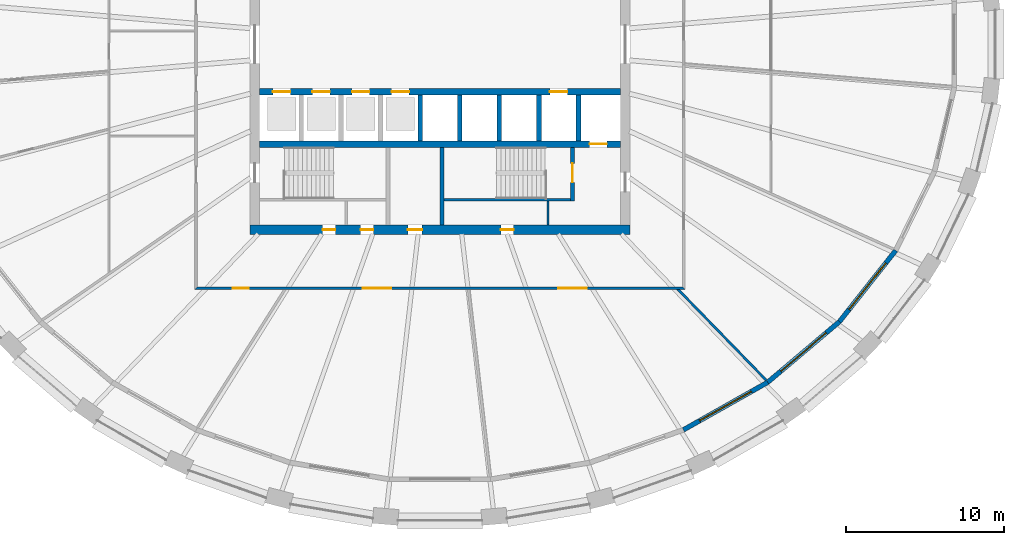
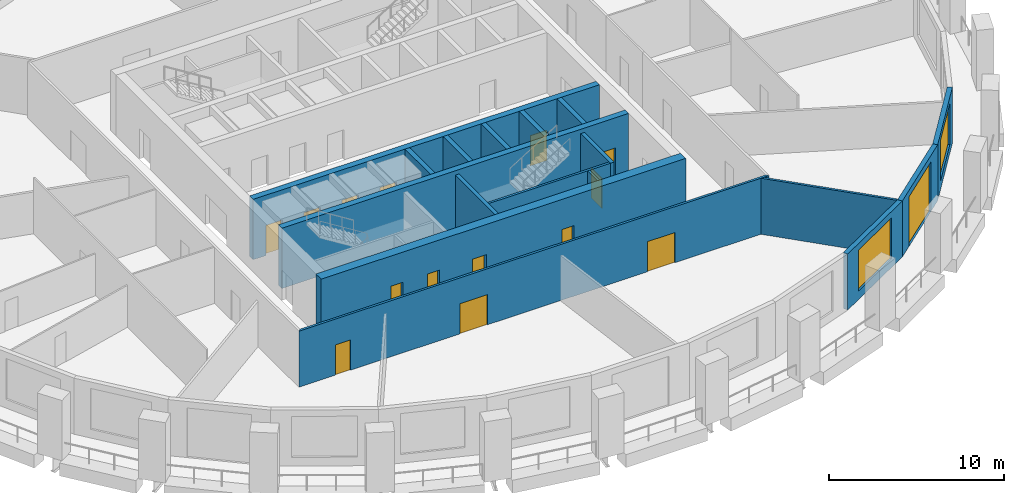
# One storey, part 4 of 10: 17 walls, 15 doors, 2 windows, 17 openings.
"""IFC4 building model written with IfcOpenShell, lengths in metres."""

from ifc_helpers import new_model, si_unit, direction, frame, frame_2d, origin, place, context, subcontext, project, spatial, polyline, rectangle, outline, extrude, material, layer, layer_set, type_object, element, fill, save


model = new_model("IFC4")

# Units and contexts
model_context = context("Model", 3, precision=1e-05, world=origin(), true_north=direction((0.0, 1.0)))
body_context = subcontext(model_context, "Body", "Model", "MODEL_VIEW")
ifc_project = project(units=[si_unit("LENGTHUNIT", "METRE"), si_unit("AREAUNIT", "SQUARE_METRE"), si_unit("VOLUMEUNIT", "CUBIC_METRE"), si_unit("PLANEANGLEUNIT", "RADIAN"), si_unit("MASSUNIT", "GRAM", prefix="KILO")], contexts=[model_context])

# Site, building, storey
site_placement = place(None, origin())
site = spatial("IfcSite", under=ifc_project, at=site_placement, CompositionType="ELEMENT")
building_placement = place(site_placement, origin())
building = spatial("IfcBuilding", under=site, at=building_placement, Name="Halqa Exchange Tower", CompositionType="ELEMENT")
storey_placement = place(building_placement, frame((0.0, 0.0, 112.89990234375)))
storey = spatial("IfcBuildingStorey", under=building, at=storey_placement, Name="L25", CompositionType="ELEMENT", Elevation=112.89990234375)

# Wall, openings, doors
ifc_material_1 = material(Name="Fire-rated gypsum board")
ifc_layer_1 = layer(ifc_material_1, 0.14990234375)
ifc_layer_set_1 = layer_set([ifc_layer_1], Name="Fire-rated gypsum board")
wall_type_1 = type_object("IfcWallType", Name="Fire partition EI 60 150", PredefinedType="PARTITIONING", material=ifc_layer_set_1)
wall_1_placement = place(storey_placement, frame((-15.47509765625, -15.39990234375, 0.0), z_axis=(0.0, 0.0, 1.0), x_axis=(1.0, 0.0, 0.0)))
wall_1 = element("IfcWall", 1, at=wall_1_placement, inside=storey, type_object=wall_type_1, Name="L25-PWL-009", PredefinedType="PARTITIONING", context=body_context, shape_type="SweptSolid", body=[
    extrude(outline(polyline([(0.000244140625, -0.074951171875), (1.9345703125, -0.074951171875), (3.868896484375, -0.074951171875), (5.80322265625, -0.074951171875), (7.73779296875, -0.074951171875), (9.672119140625, -0.074951171875), (11.6064453125, -0.074951171875), (13.540771484375, -0.074951171875), (15.47509765625, -0.074951171875), (17.409423828125, -0.074951171875), (19.34375, -0.074951171875), (21.278076171875, -0.074951171875), (23.21240234375, -0.074951171875), (25.14697265625, -0.074951171875), (27.081298828125, -0.074951171875), (29.015625, -0.074951171875), (30.949951171875, -0.074951171875), (30.800048828125, 0.074951171875), (28.884521484375, 0.074951171875), (26.96875, 0.074951171875), (25.05322265625, 0.074951171875), (23.1376953125, 0.074951171875), (21.221923828125, 0.074951171875), (19.306396484375, 0.074951171875), (17.390625, 0.074951171875), (15.47509765625, 0.074951171875), (13.5595703125, 0.074951171875), (11.643798828125, 0.074951171875), (9.728271484375, 0.074951171875), (7.8125, 0.074951171875), (5.89697265625, 0.074951171875), (3.9814453125, 0.074951171875), (2.065673828125, 0.074951171875), (0.150146484375, 0.074951171875), (0.000244140625, -0.074951171875)])), origin(), (0.0, 0.0, 1.0), 3.900146484375),
])
opening_1_placement = place(wall_1_placement, frame((2.405029296875, 0.0, 0.0)))
opening_1 = element("IfcOpeningElement", 2, at=opening_1_placement, cuts=wall_1, Name="Opening 07-08", PredefinedType="OPENING", context=body_context, shape_type="SweptSolid", body=[
    extrude(rectangle(XDim=1.0, YDim=2.10009765625, at=frame_2d((0.5, 1.050048828125))), frame((0.0, 0.0869140625, 0.0), z_axis=(0.0, -1.0, 0.0), x_axis=(1.0, 0.0, 0.0)), (0.0, 0.0, 1.0), 0.173828125),
])
opening_2_placement = place(wall_1_placement, frame((10.60498046875, 0.0, 0.0)))
opening_2 = element("IfcOpeningElement", 3, at=opening_2_placement, cuts=wall_1, Name="Opening 07-09", PredefinedType="OPENING", context=body_context, shape_type="SweptSolid", body=[
    extrude(rectangle(XDim=1.800048828125, YDim=2.10009765625, at=frame_2d((0.89990234375, 1.050048828125))), frame((0.0, 0.0869140625, 0.0), z_axis=(0.0, -1.0, 0.0), x_axis=(1.0, 0.0, 0.0)), (0.0, 0.0, 1.0), 0.173828125),
])
opening_3_placement = place(wall_1_placement, frame((22.955078125, 0.0, 0.0)))
opening_3 = element("IfcOpeningElement", 4, at=opening_3_placement, cuts=wall_1, Name="Opening 07-10", PredefinedType="OPENING", context=body_context, shape_type="SweptSolid", body=[
    extrude(rectangle(XDim=1.800048828125, YDim=2.10009765625, at=frame_2d((0.89990234375, 1.050048828125))), frame((0.0, 0.0869140625, 0.0), z_axis=(0.0, -1.0, 0.0), x_axis=(1.0, 0.0, 0.0)), (0.0, 0.0, 1.0), 0.173828125),
])
ifc_material_2 = material(Name="Steel fire door leaf", Category="steel")
door_type_1 = type_object("IfcDoorType", Name="Fire door FD30S 1000 x 2100", OperationType="SINGLE_SWING_LEFT", PredefinedType="DOOR", material=ifc_material_2)
door_1_placement = place(opening_1_placement, frame((1.0, 0.0, 0.0), z_axis=(0.0, 0.0, 1.0), x_axis=(-1.0, 0.0, 0.0)))
door_1 = element("IfcDoor", 5, at=door_1_placement, inside=storey, type_object=door_type_1, Name="L25-IDR-008", OperationType="SINGLE_SWING_RIGHT", OverallHeight=2.10009765625, OverallWidth=1.0, PredefinedType="DOOR", context=body_context, shape_type="SweptSolid", body=[
    extrude(rectangle(XDim=1.0, YDim=2.10009765625, at=frame_2d((0.5, 1.050048828125))), frame((0.0, 0.02490234375, 0.0), z_axis=(0.0, -1.0, 0.0), x_axis=(1.0, 0.0, 0.0)), (0.0, 0.0, 1.0), 0.050048828125),
])
fill(opening_1, door_1)
door_type_2 = type_object("IfcDoorType", Name="Fire door FD30S double 1800 x 2100", OperationType="DOUBLE_DOOR_SINGLE_SWING", PredefinedType="DOOR", material=ifc_material_2)
door_2_placement = place(opening_2_placement, frame((1.800048828125, 0.0, 0.0), z_axis=(0.0, 0.0, 1.0), x_axis=(-1.0, 0.0, 0.0)))
door_2 = element("IfcDoor", 6, at=door_2_placement, inside=storey, type_object=door_type_2, Name="L25-IDR-009", OperationType="DOUBLE_DOOR_SINGLE_SWING", OverallHeight=2.10009765625, OverallWidth=1.800048828125, PredefinedType="DOOR", context=body_context, shape_type="SweptSolid", body=[
    extrude(rectangle(XDim=1.800048828125, YDim=2.10009765625, at=frame_2d((0.89990234375, 1.050048828125))), frame((0.0, 0.02490234375, 0.0), z_axis=(0.0, -1.0, 0.0), x_axis=(1.0, 0.0, 0.0)), (0.0, 0.0, 1.0), 0.050048828125),
])
fill(opening_2, door_2)
door_3_placement = place(opening_3_placement, frame((1.800048828125, 0.0, 0.0), z_axis=(0.0, 0.0, 1.0), x_axis=(-1.0, 0.0, 0.0)))
door_3 = element("IfcDoor", 7, at=door_3_placement, inside=storey, type_object=door_type_2, Name="L25-IDR-010", OperationType="DOUBLE_DOOR_SINGLE_SWING", OverallHeight=2.10009765625, OverallWidth=1.800048828125, PredefinedType="DOOR", context=body_context, shape_type="SweptSolid", body=[
    extrude(rectangle(XDim=1.800048828125, YDim=2.10009765625, at=frame_2d((0.89990234375, 1.050048828125))), frame((0.0, 0.02490234375, 0.0), z_axis=(0.0, -1.0, 0.0), x_axis=(1.0, 0.0, 0.0)), (0.0, 0.0, 1.0), 0.050048828125),
])
fill(opening_3, door_3)

# Walls
wall_2_placement = place(storey_placement, frame((14.982421875, -15.4228515625, 0.0), z_axis=(0.0, 0.0, 1.0), x_axis=(0.696915710248, -0.717153046992, 0.0)))
element("IfcWall", 8, at=wall_2_placement, inside=storey, type_object=wall_type_1, Name="L25-PWL-016", PredefinedType="PARTITIONING", context=body_context, shape_type="SweptSolid", body=[
    extrude(outline(polyline([(8.05859375, 0.074951171875), (6.080322265625, 0.074951171875), (4.10205078125, 0.074951171875), (2.123779296875, 0.074951171875), (0.1455078125, 0.074951171875), (0.0, -0.07470703125), (0.0, -0.074951171875), (1.61181640625, -0.074951171875), (3.223388671875, -0.074951171875), (4.835205078125, -0.074951171875), (6.44677734375, -0.074951171875), (8.05859375, -0.074951171875), (8.05859375, 0.074951171875)])), origin(), (0.0, 0.0, 1.0), 3.900146484375),
])
ifc_material_3 = material(Name="Gypsum board")
ifc_layer_2 = layer(ifc_material_3, 0.14990234375)
ifc_layer_set_2 = layer_set([ifc_layer_2], Name="Gypsum board")
wall_type_2 = type_object("IfcWallType", Name="Penthouse riser wall 150 gypsum", PredefinedType="PARTITIONING", material=ifc_layer_set_2)
wall_3_placement = place(storey_placement, frame((6.824951171875, -11.39990234375, 0.0), z_axis=(0.0, 0.0, 1.0), x_axis=(0.0, 1.0, 0.0)))
element("IfcWall", 9, at=wall_3_placement, inside=storey, type_object=wall_type_2, Name="Firefighting lobby west wall S", PredefinedType="PARTITIONING", context=body_context, shape_type="SweptSolid", body=[
    extrude(rectangle(XDim=1.5, YDim=0.14990234375, at=frame_2d((0.75, 0.0))), origin(), (0.0, 0.0, 1.0), 3.900146484375),
])
ifc_material_4 = material(Name="Concrete C60/75", Category="concrete")
ifc_layer_3 = layer(ifc_material_4, 0.300048828125)
ifc_layer_set_3 = layer_set([ifc_layer_3], Name="Concrete C60/75")
wall_type_3 = type_object("IfcWallType", Name="RC core wall 300", PredefinedType="SHEAR", material=ifc_layer_set_3)
for number, where, z_axis, x_axis, name in (
    (10, (-1.25, -6.10009765625, 0.0), (0.0, 0.0, 1.0), (0.0, 1.0, 0.0), "Shaft divider S4"),
    (11, (1.25, -6.10009765625, 0.0), (0.0, 0.0, 1.0), (0.0, 1.0, 0.0), "Shaft divider S5"),
    (12, (3.75, -6.10009765625, 0.0), (0.0, 0.0, 1.0), (0.0, 1.0, 0.0), "Shaft divider S6"),
    (13, (6.25, -6.10009765625, 0.0), (0.0, 0.0, 1.0), (0.0, 1.0, 0.0), "Shaft divider S7"),
    (14, (8.75, -6.10009765625, 0.0), (0.0, 0.0, 1.0), (0.0, 1.0, 0.0), "Shaft divider S8"),
):
    element("IfcWall", number, at=place(storey_placement, frame(where, z_axis=z_axis, x_axis=x_axis)), inside=storey, type_object=wall_type_3, Name=name, PredefinedType="SHEAR", context=body_context, shape_type="SweptSolid", body=[
        extrude(rectangle(XDim=2.900146484375, YDim=0.300048828125, at=frame_2d((1.4501953125, 0.0))), origin(), (0.0, 0.0, 1.0), 4.2001953125),
    ])

# Wall, openings, doors
ifc_material_5 = material(Name="Concrete C70/85", Category="concrete")
ifc_layer_4 = layer(ifc_material_5, 0.39990234375)
ifc_layer_set_4 = layer_set([ifc_layer_4], Name="Concrete C70/85")
wall_type_4 = type_object("IfcWallType", Name="RC core wall 400 C70/85", PredefinedType="SHEAR", material=ifc_layer_set_4)
wall_4_placement = place(storey_placement, frame((-11.39990234375, -3.0, 0.0), z_axis=(0.0, 0.0, 1.0), x_axis=(1.0, 0.0, 0.0)))
wall_4 = element("IfcWall", 15, at=wall_4_placement, inside=storey, type_object=wall_type_4, Name="Lift row front wall S", PredefinedType="SHEAR", context=body_context, shape_type="SweptSolid", body=[
    extrude(rectangle(XDim=22.7998046875, YDim=0.39990234375, at=frame_2d((11.39990234375, 0.0))), origin(), (0.0, 0.0, 1.0), 4.2001953125),
])
opening_4_placement = place(wall_4_placement, frame((0.85009765625, 0.0, 0.0)))
opening_4 = element("IfcOpeningElement", 16, at=opening_4_placement, cuts=wall_4, Name="Opening LD-LR5-T07", PredefinedType="OPENING", context=body_context, shape_type="SweptSolid", body=[
    extrude(rectangle(XDim=1.10009765625, YDim=2.10009765625, at=frame_2d((0.550048828125, 1.050048828125))), frame((0.0, 0.2119140625, 0.0), z_axis=(0.0, -1.0, 0.0), x_axis=(1.0, 0.0, 0.0)), (0.0, 0.0, 1.0), 0.423828125),
])
opening_5_placement = place(wall_4_placement, frame((3.35009765625, 0.0, 0.0)))
opening_5 = element("IfcOpeningElement", 17, at=opening_5_placement, cuts=wall_4, Name="Opening LD-LR6-T07", PredefinedType="OPENING", context=body_context, shape_type="SweptSolid", body=[
    extrude(rectangle(XDim=1.10009765625, YDim=2.10009765625, at=frame_2d((0.550048828125, 1.050048828125))), frame((0.0, 0.2119140625, 0.0), z_axis=(0.0, -1.0, 0.0), x_axis=(1.0, 0.0, 0.0)), (0.0, 0.0, 1.0), 0.423828125),
])
opening_6_placement = place(wall_4_placement, frame((5.85009765625, 0.0, 0.0)))
opening_6 = element("IfcOpeningElement", 18, at=opening_6_placement, cuts=wall_4, Name="Opening LD-LR7-T07", PredefinedType="OPENING", context=body_context, shape_type="SweptSolid", body=[
    extrude(rectangle(XDim=1.10009765625, YDim=2.10009765625, at=frame_2d((0.550048828125, 1.050048828125))), frame((0.0, 0.2119140625, 0.0), z_axis=(0.0, -1.0, 0.0), x_axis=(1.0, 0.0, 0.0)), (0.0, 0.0, 1.0), 0.423828125),
])
opening_7_placement = place(wall_4_placement, frame((8.35009765625, 0.0, 0.0)))
opening_7 = element("IfcOpeningElement", 19, at=opening_7_placement, cuts=wall_4, Name="Opening LD-LR8-T07", PredefinedType="OPENING", context=body_context, shape_type="SweptSolid", body=[
    extrude(rectangle(XDim=1.10009765625, YDim=2.10009765625, at=frame_2d((0.550048828125, 1.050048828125))), frame((0.0, 0.2119140625, 0.0), z_axis=(0.0, -1.0, 0.0), x_axis=(1.0, 0.0, 0.0)), (0.0, 0.0, 1.0), 0.423828125),
])
opening_8_placement = place(wall_4_placement, frame((18.35009765625, 0.0, 0.0)))
opening_8 = element("IfcOpeningElement", 20, at=opening_8_placement, cuts=wall_4, Name="Opening LD-SV2-T07", PredefinedType="OPENING", context=body_context, shape_type="SweptSolid", body=[
    extrude(rectangle(XDim=1.10009765625, YDim=2.10009765625, at=frame_2d((0.550048828125, 1.050048828125))), frame((0.0, 0.2119140625, 0.0), z_axis=(0.0, -1.0, 0.0), x_axis=(1.0, 0.0, 0.0)), (0.0, 0.0, 1.0), 0.423828125),
])
ifc_material_6 = material(Name="Stainless steel", Category="steel")
door_type_3 = type_object("IfcDoorType", Name="Lift landing door 1100 x 2100", OperationType="SLIDING_TO_LEFT", PredefinedType="DOOR", material=ifc_material_6)
door_4_placement = place(opening_4_placement, origin())
door_4 = element("IfcDoor", 21, at=door_4_placement, inside=storey, type_object=door_type_3, Name="Lift landing door LR5", OperationType="SLIDING_TO_LEFT", OverallHeight=2.10009765625, OverallWidth=1.10009765625, PredefinedType="DOOR", context=body_context, shape_type="SweptSolid", body=[
    extrude(rectangle(XDim=1.10009765625, YDim=2.10009765625, at=frame_2d((0.550048828125, 1.050048828125))), frame((0.0, 0.02490234375, 0.0), z_axis=(0.0, -1.0, 0.0), x_axis=(1.0, 0.0, 0.0)), (0.0, 0.0, 1.0), 0.050048828125),
])
fill(opening_4, door_4)
door_5_placement = place(opening_5_placement, origin())
door_5 = element("IfcDoor", 22, at=door_5_placement, inside=storey, type_object=door_type_3, Name="Lift landing door LR6", OperationType="SLIDING_TO_LEFT", OverallHeight=2.10009765625, OverallWidth=1.10009765625, PredefinedType="DOOR", context=body_context, shape_type="SweptSolid", body=[
    extrude(rectangle(XDim=1.10009765625, YDim=2.10009765625, at=frame_2d((0.550048828125, 1.050048828125))), frame((0.0, 0.02490234375, 0.0), z_axis=(0.0, -1.0, 0.0), x_axis=(1.0, 0.0, 0.0)), (0.0, 0.0, 1.0), 0.050048828125),
])
fill(opening_5, door_5)
door_6_placement = place(opening_6_placement, origin())
door_6 = element("IfcDoor", 23, at=door_6_placement, inside=storey, type_object=door_type_3, Name="Lift landing door LR7", OperationType="SLIDING_TO_LEFT", OverallHeight=2.10009765625, OverallWidth=1.10009765625, PredefinedType="DOOR", context=body_context, shape_type="SweptSolid", body=[
    extrude(rectangle(XDim=1.10009765625, YDim=2.10009765625, at=frame_2d((0.550048828125, 1.050048828125))), frame((0.0, 0.02490234375, 0.0), z_axis=(0.0, -1.0, 0.0), x_axis=(1.0, 0.0, 0.0)), (0.0, 0.0, 1.0), 0.050048828125),
])
fill(opening_6, door_6)
door_7_placement = place(opening_7_placement, origin())
door_7 = element("IfcDoor", 24, at=door_7_placement, inside=storey, type_object=door_type_3, Name="Lift landing door LR8", OperationType="SLIDING_TO_LEFT", OverallHeight=2.10009765625, OverallWidth=1.10009765625, PredefinedType="DOOR", context=body_context, shape_type="SweptSolid", body=[
    extrude(rectangle(XDim=1.10009765625, YDim=2.10009765625, at=frame_2d((0.550048828125, 1.050048828125))), frame((0.0, 0.02490234375, 0.0), z_axis=(0.0, -1.0, 0.0), x_axis=(1.0, 0.0, 0.0)), (0.0, 0.0, 1.0), 0.050048828125),
])
fill(opening_7, door_7)
door_8_placement = place(opening_8_placement, origin())
door_8 = element("IfcDoor", 25, at=door_8_placement, inside=storey, type_object=door_type_3, Name="Lift landing door SV2", OperationType="SLIDING_TO_LEFT", OverallHeight=2.10009765625, OverallWidth=1.10009765625, PredefinedType="DOOR", context=body_context, shape_type="SweptSolid", body=[
    extrude(rectangle(XDim=1.10009765625, YDim=2.10009765625, at=frame_2d((0.550048828125, 1.050048828125))), frame((0.0, 0.02490234375, 0.0), z_axis=(0.0, -1.0, 0.0), x_axis=(1.0, 0.0, 0.0)), (0.0, 0.0, 1.0), 0.050048828125),
])
fill(opening_8, door_8)

# Wall, opening, door
wall_5_placement = place(storey_placement, frame((-11.39990234375, -6.300048828125, 0.0), z_axis=(0.0, 0.0, 1.0), x_axis=(1.0, 0.0, 0.0)))
wall_5 = element("IfcWall", 26, at=wall_5_placement, inside=storey, type_object=wall_type_4, Name="Lift row back wall S", PredefinedType="SHEAR", context=body_context, shape_type="SweptSolid", body=[
    extrude(rectangle(XDim=22.7998046875, YDim=0.39990234375, at=frame_2d((11.39990234375, 0.0))), origin(), (0.0, 0.0, 1.0), 4.2001953125),
])
opening_9_placement = place(wall_5_placement, frame((20.85009765625, 0.0, 0.0)))
opening_9 = element("IfcOpeningElement", 27, at=opening_9_placement, cuts=wall_5, Name="Opening LD-FF2-T07", PredefinedType="OPENING", context=body_context, shape_type="SweptSolid", body=[
    extrude(rectangle(XDim=1.10009765625, YDim=2.10009765625, at=frame_2d((0.550048828125, 1.050048828125))), frame((0.0, 0.2119140625, 0.0), z_axis=(0.0, -1.0, 0.0), x_axis=(1.0, 0.0, 0.0)), (0.0, 0.0, 1.0), 0.423828125),
])
door_9_placement = place(opening_9_placement, origin())
door_9 = element("IfcDoor", 28, at=door_9_placement, inside=storey, type_object=door_type_3, Name="Lift landing door FF2", OperationType="SLIDING_TO_LEFT", OverallHeight=2.10009765625, OverallWidth=1.10009765625, PredefinedType="DOOR", context=body_context, shape_type="SweptSolid", body=[
    extrude(rectangle(XDim=1.10009765625, YDim=2.10009765625, at=frame_2d((0.550048828125, 1.050048828125))), frame((0.0, 0.02490234375, 0.0), z_axis=(0.0, -1.0, 0.0), x_axis=(1.0, 0.0, 0.0)), (0.0, 0.0, 1.0), 0.050048828125),
])
fill(opening_9, door_9)

# Wall, openings, doors
ifc_layer_5 = layer(ifc_material_5, 0.60009765625)
ifc_layer_set_5 = layer_set([ifc_layer_5], Name="Concrete C70/85")
wall_type_5 = type_object("IfcWallType", Name="RC core wall 600 C70/85", PredefinedType="SHEAR", material=ifc_layer_set_5)
wall_6_placement = place(storey_placement, frame((-12.0, -11.699951171875, 0.0), z_axis=(0.0, 0.0, 1.0), x_axis=(1.0, 0.0, 0.0)))
wall_6 = element("IfcWall", 29, at=wall_6_placement, inside=storey, type_object=wall_type_5, Name="Core wall south", PredefinedType="SHEAR", context=body_context, shape_type="SweptSolid", body=[
    extrude(rectangle(XDim=24.0, YDim=0.60009765625, at=frame_2d((12.0, 0.0))), origin(), (0.0, 0.0, 1.0), 4.2001953125),
])
opening_10_placement = place(wall_6_placement, frame((9.97509765625, 0.0, 0.0)))
opening_10 = element("IfcOpeningElement", 30, at=opening_10_placement, cuts=wall_6, Name="Opening T07-C25", PredefinedType="OPENING", context=body_context, shape_type="SweptSolid", body=[
    extrude(rectangle(XDim=0.89990234375, YDim=2.10009765625, at=frame_2d((0.449951171875, 1.050048828125))), frame((0.0, 0.31201171875, 0.0), z_axis=(0.0, -1.0, 0.0), x_axis=(1.0, 0.0, 0.0)), (0.0, 0.0, 1.0), 0.6240234375),
])
opening_11_placement = place(wall_6_placement, frame((4.60009765625, 0.0, 0.0)))
opening_11 = element("IfcOpeningElement", 31, at=opening_11_placement, cuts=wall_6, Name="Opening T07-C26", PredefinedType="OPENING", context=body_context, shape_type="SweptSolid", body=[
    extrude(rectangle(XDim=0.800048828125, YDim=2.10009765625, at=frame_2d((0.39990234375, 1.050048828125))), frame((0.0, 0.31201171875, 0.0), z_axis=(0.0, -1.0, 0.0), x_axis=(1.0, 0.0, 0.0)), (0.0, 0.0, 1.0), 0.6240234375),
])
opening_12_placement = place(wall_6_placement, frame((7.0, 0.0, 0.0)))
opening_12 = element("IfcOpeningElement", 32, at=opening_12_placement, cuts=wall_6, Name="Opening T07-C27", PredefinedType="OPENING", context=body_context, shape_type="SweptSolid", body=[
    extrude(rectangle(XDim=0.800048828125, YDim=2.10009765625, at=frame_2d((0.39990234375, 1.050048828125))), frame((0.0, 0.31201171875, 0.0), z_axis=(0.0, -1.0, 0.0), x_axis=(1.0, 0.0, 0.0)), (0.0, 0.0, 1.0), 0.6240234375),
])
opening_13_placement = place(wall_6_placement, frame((15.85009765625, 0.0, 0.0)))
opening_13 = element("IfcOpeningElement", 33, at=opening_13_placement, cuts=wall_6, Name="Opening T07-C28", PredefinedType="OPENING", context=body_context, shape_type="SweptSolid", body=[
    extrude(rectangle(XDim=0.800048828125, YDim=2.10009765625, at=frame_2d((0.39990234375, 1.050048828125))), frame((0.0, 0.31201171875, 0.0), z_axis=(0.0, -1.0, 0.0), x_axis=(1.0, 0.0, 0.0)), (0.0, 0.0, 1.0), 0.6240234375),
])
ifc_material_7 = material(Name="Timber fire door leaf", Category="wood")
door_type_4 = type_object("IfcDoorType", Name="Core room door FD30 900 x 2100", OperationType="SINGLE_SWING_LEFT", PredefinedType="DOOR", material=ifc_material_7)
door_10_placement = place(opening_10_placement, origin())
door_10 = element("IfcDoor", 34, at=door_10_placement, inside=storey, type_object=door_type_4, Name="Core room door", OperationType="SINGLE_SWING_LEFT", OverallHeight=2.10009765625, OverallWidth=0.89990234375, PredefinedType="DOOR", context=body_context, shape_type="SweptSolid", body=[
    extrude(rectangle(XDim=0.89990234375, YDim=2.10009765625, at=frame_2d((0.449951171875, 1.050048828125))), frame((0.0, 0.02490234375, 0.0), z_axis=(0.0, -1.0, 0.0), x_axis=(1.0, 0.0, 0.0)), (0.0, 0.0, 1.0), 0.050048828125),
])
fill(opening_10, door_10)
door_type_5 = type_object("IfcDoorType", Name="Riser door FD60 800 x 2100", OperationType="SINGLE_SWING_LEFT", PredefinedType="DOOR", material=ifc_material_2)
door_11_placement = place(opening_11_placement, origin())
door_11 = element("IfcDoor", 35, at=door_11_placement, inside=storey, type_object=door_type_5, Name="Core room door", OperationType="SINGLE_SWING_LEFT", OverallHeight=2.10009765625, OverallWidth=0.800048828125, PredefinedType="DOOR", context=body_context, shape_type="SweptSolid", body=[
    extrude(rectangle(XDim=0.800048828125, YDim=2.10009765625, at=frame_2d((0.39990234375, 1.050048828125))), frame((0.0, 0.02490234375, 0.0), z_axis=(0.0, -1.0, 0.0), x_axis=(1.0, 0.0, 0.0)), (0.0, 0.0, 1.0), 0.050048828125),
])
fill(opening_11, door_11)
door_12_placement = place(opening_12_placement, origin())
door_12 = element("IfcDoor", 36, at=door_12_placement, inside=storey, type_object=door_type_5, Name="Core room door", OperationType="SINGLE_SWING_LEFT", OverallHeight=2.10009765625, OverallWidth=0.800048828125, PredefinedType="DOOR", context=body_context, shape_type="SweptSolid", body=[
    extrude(rectangle(XDim=0.800048828125, YDim=2.10009765625, at=frame_2d((0.39990234375, 1.050048828125))), frame((0.0, 0.02490234375, 0.0), z_axis=(0.0, -1.0, 0.0), x_axis=(1.0, 0.0, 0.0)), (0.0, 0.0, 1.0), 0.050048828125),
])
fill(opening_12, door_12)
door_13_placement = place(opening_13_placement, origin())
door_13 = element("IfcDoor", 37, at=door_13_placement, inside=storey, type_object=door_type_5, Name="Core room door", OperationType="SINGLE_SWING_LEFT", OverallHeight=2.10009765625, OverallWidth=0.800048828125, PredefinedType="DOOR", context=body_context, shape_type="SweptSolid", body=[
    extrude(rectangle(XDim=0.800048828125, YDim=2.10009765625, at=frame_2d((0.39990234375, 1.050048828125))), frame((0.0, 0.02490234375, 0.0), z_axis=(0.0, -1.0, 0.0), x_axis=(1.0, 0.0, 0.0)), (0.0, 0.0, 1.0), 0.050048828125),
])
fill(opening_13, door_13)

# Walls
ifc_material_8 = material(Name="Concrete C30/37", Category="concrete")
ifc_layer_6 = layer(ifc_material_8, 0.14990234375)
ifc_layer_set_6 = layer_set([ifc_layer_6], Name="Concrete C30/37")
wall_type_6 = type_object("IfcWallType", Name="RC stair wall 150 C30/37", PredefinedType="SHEAR", material=ifc_layer_set_6)
wall_7_placement = place(storey_placement, frame((0.25, -9.824951171875, 0.0), z_axis=(0.0, 0.0, 1.0), x_axis=(1.0, 0.0, 0.0)))
element("IfcWall", 38, at=wall_7_placement, inside=storey, type_object=wall_type_6, Name="Stair ST2 north wall S", PredefinedType="SHEAR", context=body_context, shape_type="SweptSolid", body=[
    extrude(rectangle(XDim=8.0, YDim=0.14990234375, at=frame_2d((4.0, 0.0))), origin(), (0.0, 0.0, 1.0), 3.900146484375),
])
ifc_layer_7 = layer(ifc_material_8, 0.25)
ifc_layer_set_7 = layer_set([ifc_layer_7], Name="Concrete C30/37")
wall_type_7 = type_object("IfcWallType", Name="RC stair wall 250 C30/37", PredefinedType="SHEAR", material=ifc_layer_set_7)
wall_8_placement = place(storey_placement, frame((0.125, -11.39990234375, 0.0), z_axis=(0.0, 0.0, 1.0), x_axis=(0.0, 1.0, 0.0)))
element("IfcWall", 39, at=wall_8_placement, inside=storey, type_object=wall_type_7, Name="Stair ST2 west wall S", PredefinedType="SHEAR", context=body_context, shape_type="SweptSolid", body=[
    extrude(rectangle(XDim=4.89990234375, YDim=0.25, at=frame_2d((2.449951171875, 0.0))), origin(), (0.0, 0.0, 1.0), 3.900146484375),
])

# Wall, opening, door
wall_9_placement = place(storey_placement, frame((8.375, -9.89990234375, 0.0), z_axis=(0.0, 0.0, 1.0), x_axis=(0.0, 1.0, 0.0)))
wall_9 = element("IfcWall", 40, at=wall_9_placement, inside=storey, type_object=wall_type_7, Name="Stair ST2 east wall S", PredefinedType="SHEAR", context=body_context, shape_type="SweptSolid", body=[
    extrude(rectangle(XDim=3.39990234375, YDim=0.25, at=frame_2d((1.699951171875, 0.0))), origin(), (0.0, 0.0, 1.0), 3.900146484375),
])
opening_14_placement = place(wall_9_placement, frame((1.175048828125, 0.0, 0.0)))
opening_14 = element("IfcOpeningElement", 41, at=opening_14_placement, cuts=wall_9, Name="Opening T07-C18", PredefinedType="OPENING", context=body_context, shape_type="SweptSolid", body=[
    extrude(rectangle(XDim=1.199951171875, YDim=2.10009765625, at=frame_2d((0.60009765625, 1.050048828125))), frame((0.0, 0.136962890625, 0.0), z_axis=(0.0, -1.0, 0.0), x_axis=(1.0, 0.0, 0.0)), (0.0, 0.0, 1.0), 0.27392578125),
])
door_type_6 = type_object("IfcDoorType", Name="Stair door FD90 1200 x 2100", OperationType="SINGLE_SWING_LEFT", PredefinedType="DOOR", material=ifc_material_2)
door_14_placement = place(opening_14_placement, origin())
door_14 = element("IfcDoor", 42, at=door_14_placement, inside=storey, type_object=door_type_6, Name="Stair door ST4", OperationType="SINGLE_SWING_LEFT", OverallHeight=2.10009765625, OverallWidth=1.199951171875, PredefinedType="DOOR", context=body_context, shape_type="SweptSolid", body=[
    extrude(rectangle(XDim=1.199951171875, YDim=2.10009765625, at=frame_2d((0.60009765625, 1.050048828125))), frame((0.0, 0.02490234375, 0.0), z_axis=(0.0, -1.0, 0.0), x_axis=(1.0, 0.0, 0.0)), (0.0, 0.0, 1.0), 0.050048828125),
])
fill(opening_14, door_14)

# Wall, opening, window
ifc_material_9 = material(Name="Limestone cladding", Category="masonry")
ifc_layer_8 = layer(ifc_material_9, 0.0400390625)
ifc_material_10 = material(Name="Ventilated cavity")
ifc_layer_9 = layer(ifc_material_10, 0.030029296875, ventilated=True)
ifc_material_11 = material(Name="Mineral wool insulation")
ifc_layer_10 = layer(ifc_material_11, 0.10009765625)
ifc_layer_11 = layer(ifc_material_8, 0.10009765625)
ifc_material_12 = material(Name="Internal plaster")
ifc_layer_12 = layer(ifc_material_12, 0.030029296875)
ifc_layer_set_8 = layer_set([ifc_layer_8, ifc_layer_9, ifc_layer_10, ifc_layer_11, ifc_layer_12], Name="Stone-faced insulated wall 300")
wall_type_8 = type_object("IfcWallType", Name="Stone-faced insulated wall 300", PredefinedType="STANDARD", material=ifc_layer_set_8)
wall_10_placement = place(storey_placement, frame((15.37744140625, -24.34423828125, 0.0), z_axis=(0.0, 0.0, 1.0), x_axis=(0.870828448417, 0.491587035455, 0.0)))
wall_10 = element("IfcWall", 43, at=wall_10_placement, inside=storey, type_object=wall_type_8, Name="Glass-line wall 27", PredefinedType="STANDARD", context=body_context, shape_type="SweptSolid", body=[
    extrude(outline(polyline([(-0.013427734375, -0.14990234375), (6.122802734375, -0.14990234375), (6.094482421875, 0.14990234375), (0.013427734375, 0.14990234375), (-0.013427734375, -0.14990234375)])), origin(), (0.0, 0.0, 1.0), 3.900146484375),
])
opening_15_placement = place(wall_10_placement, frame((1.17919921875, 0.0, 0.60009765625)))
opening_15 = element("IfcOpeningElement", 44, at=opening_15_placement, cuts=wall_10, Name="Opening W-F2-27", PredefinedType="OPENING", context=body_context, shape_type="SweptSolid", body=[
    extrude(rectangle(XDim=3.75, YDim=2.85009765625, at=frame_2d((1.875, 1.425048828125))), frame((0.0, 0.162109375, 0.0), z_axis=(0.0, -1.0, 0.0), x_axis=(1.0, 0.0, 0.0)), (0.0, 0.0, 1.0), 0.323974609375),
])
ifc_material_13 = material(Name="Clear low-emissivity glass in aluminium frame", Category="aluminium")
window_type = type_object("IfcWindowType", Name="Fixed clear glazed window 3750 x 2850", PartitioningType="TRIPLE_PANEL_VERTICAL", PredefinedType="WINDOW", material=ifc_material_13)
window_1_placement = place(opening_15_placement, origin())
window_1 = element("IfcWindow", 45, at=window_1_placement, inside=storey, type_object=window_type, Name="Window 2", OverallHeight=2.85009765625, OverallWidth=3.75, PartitioningType="TRIPLE_PANEL_VERTICAL", PredefinedType="WINDOW", context=body_context, shape_type="SweptSolid", body=[
    extrude(rectangle(XDim=3.75, YDim=2.85009765625, at=frame_2d((1.875, 1.425048828125))), frame((0.0, 0.030029296875, 0.0), z_axis=(0.0, -1.0, 0.0), x_axis=(1.0, 0.0, 0.0)), (0.0, 0.0, 1.0), 0.06005859375),
])
fill(opening_15, window_1)

# Wall, opening, door
wall_11_placement = place(storey_placement, frame((20.697021484375, -21.34130859375, 0.0), z_axis=(0.0, 0.0, 1.0), x_axis=(0.763894031266, 0.645341699409, 0.0)))
wall_11 = element("IfcWall", 46, at=wall_11_placement, inside=storey, type_object=wall_type_8, Name="Glass-line wall 28", PredefinedType="STANDARD", context=body_context, shape_type="SweptSolid", body=[
    extrude(outline(polyline([(-0.01416015625, -0.14990234375), (5.93994140625, -0.14990234375), (5.90966796875, 0.14990234375), (0.01416015625, 0.14990234375), (-0.01416015625, -0.14990234375)])), origin(), (0.0, 0.0, 1.0), 3.900146484375),
])
opening_16_placement = place(wall_11_placement, frame((1.08740234375, 0.0, 0.0)))
opening_16 = element("IfcOpeningElement", 47, at=opening_16_placement, cuts=wall_11, Name="Opening LG-F2-07", PredefinedType="OPENING", context=body_context, shape_type="SweptSolid", body=[
    extrude(rectangle(XDim=3.75, YDim=3.449951171875, at=frame_2d((1.875, 1.72509765625))), frame((0.0, 0.162109375, 0.0), z_axis=(0.0, -1.0, 0.0), x_axis=(1.0, 0.0, 0.0)), (0.0, 0.0, 1.0), 0.323974609375),
])
door_type_7 = type_object("IfcDoorType", Name="Glazed sliding loggia door 3750 x 3450", OperationType="DOUBLE_DOOR_SLIDING", PredefinedType="DOOR", material=ifc_material_13)
door_15_placement = place(opening_16_placement, origin())
door_15 = element("IfcDoor", 48, at=door_15_placement, inside=storey, type_object=door_type_7, Name="Loggia door 7", OperationType="DOUBLE_DOOR_SLIDING", OverallHeight=3.449951171875, OverallWidth=3.75, PredefinedType="DOOR", context=body_context, shape_type="SweptSolid", body=[
    extrude(rectangle(XDim=3.75, YDim=3.449951171875, at=frame_2d((1.875, 1.72509765625))), frame((0.0, 0.02490234375, 0.0), z_axis=(0.0, -1.0, 0.0), x_axis=(1.0, 0.0, 0.0)), (0.0, 0.0, 1.0), 0.050048828125),
])
fill(opening_16, door_15)

# Wall, opening, window
wall_12_placement = place(storey_placement, frame((25.222900390625, -17.517822265625, 0.0), z_axis=(0.0, 0.0, 1.0), x_axis=(0.620329992039, 0.784340934146, 0.0)))
wall_12 = element("IfcWall", 49, at=wall_12_placement, inside=storey, type_object=wall_type_8, Name="Glass-line wall 29", PredefinedType="STANDARD", context=body_context, shape_type="SweptSolid", body=[
    extrude(outline(polyline([(-0.01513671875, -0.14990234375), (5.75146484375, -0.14990234375), (5.71923828125, 0.14990234375), (0.01513671875, 0.14990234375), (-0.01513671875, -0.14990234375)])), origin(), (0.0, 0.0, 1.0), 3.900146484375),
])
opening_17_placement = place(wall_12_placement, frame((0.99267578125, 0.0, 0.60009765625)))
opening_17 = element("IfcOpeningElement", 50, at=opening_17_placement, cuts=wall_12, Name="Opening W-F2-29", PredefinedType="OPENING", context=body_context, shape_type="SweptSolid", body=[
    extrude(rectangle(XDim=3.75, YDim=2.85009765625, at=frame_2d((1.875, 1.425048828125))), frame((0.0, 0.162109375, 0.0), z_axis=(0.0, -1.0, 0.0), x_axis=(1.0, 0.0, 0.0)), (0.0, 0.0, 1.0), 0.323974609375),
])
window_2_placement = place(opening_17_placement, origin())
window_2 = element("IfcWindow", 51, at=window_2_placement, inside=storey, type_object=window_type, Name="Window 2", OverallHeight=2.85009765625, OverallWidth=3.75, PartitioningType="TRIPLE_PANEL_VERTICAL", PredefinedType="WINDOW", context=body_context, shape_type="SweptSolid", body=[
    extrude(rectangle(XDim=3.75, YDim=2.85009765625, at=frame_2d((1.875, 1.425048828125))), frame((0.0, 0.030029296875, 0.0), z_axis=(0.0, -1.0, 0.0), x_axis=(1.0, 0.0, 0.0)), (0.0, 0.0, 1.0), 0.06005859375),
])
fill(opening_17, window_2)

save(model, "model.ifc")
